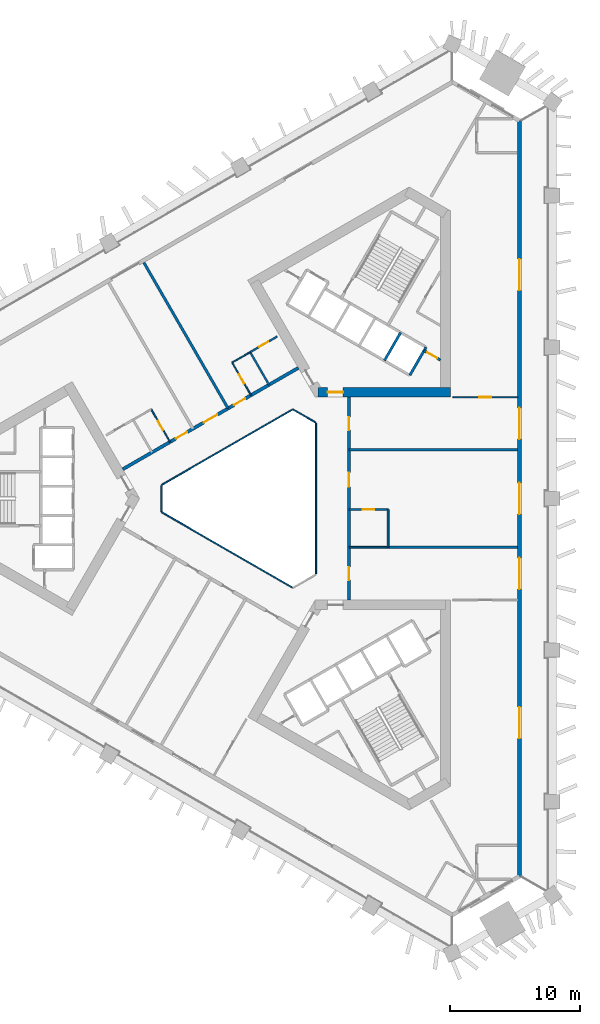
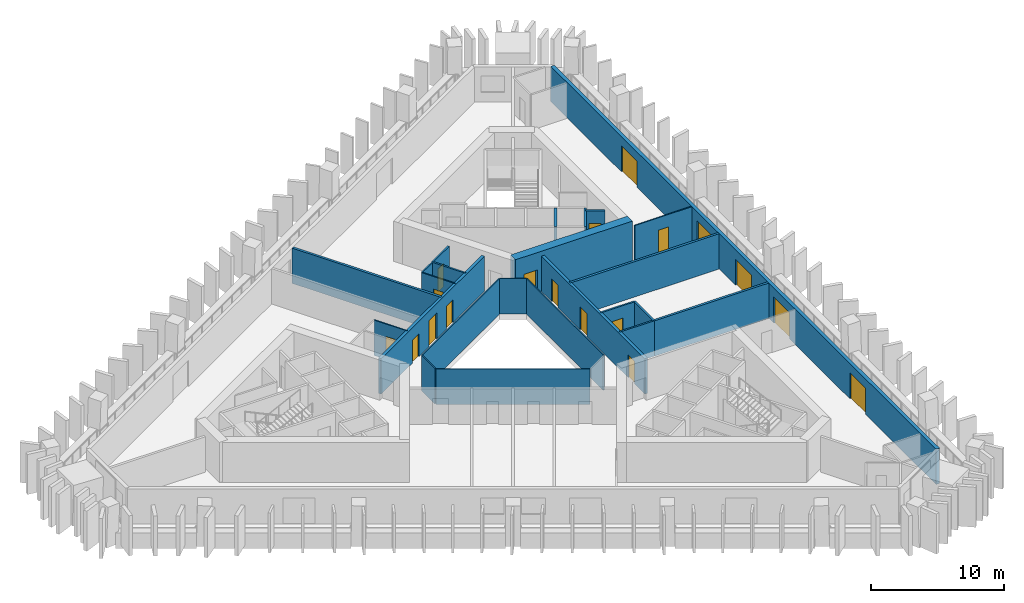
# One storey, part 5 of 9: 24 walls, 18 doors, 18 openings.
"""IFC4 building model written with IfcOpenShell, lengths in metres."""

from ifc_helpers import new_model, si_unit, direction, frame, frame_2d, origin, place, context, subcontext, project, spatial, rectangle, extrude, material, layer, layer_set, type_object, element, fill, save


model = new_model("IFC4")

# Units and contexts
model_context = context("Model", 3, precision=1e-05, world=origin(), true_north=direction((0.0, 1.0)))
body_context = subcontext(model_context, "Body", "Model", "MODEL_VIEW")
ifc_project = project(units=[si_unit("LENGTHUNIT", "METRE"), si_unit("AREAUNIT", "SQUARE_METRE"), si_unit("VOLUMEUNIT", "CUBIC_METRE"), si_unit("PLANEANGLEUNIT", "RADIAN"), si_unit("MASSUNIT", "GRAM", prefix="KILO")], contexts=[model_context])

# Site, building, storey
site_placement = place(None, origin())
site = spatial("IfcSite", under=ifc_project, at=site_placement, CompositionType="ELEMENT")
building_placement = place(site_placement, origin())
building = spatial("IfcBuilding", under=site, at=building_placement, Name="Jabali Bay Hotel Tower and Convention Centre", CompositionType="ELEMENT")
storey_placement = place(building_placement, frame((0.0, 0.0, 94.300048828125)))
storey = spatial("IfcBuildingStorey", under=building, at=storey_placement, Name="L22", CompositionType="ELEMENT", Elevation=94.300048828125)

# Walls
ifc_material_1 = material(Name="Fire-resistant glazing", Category="glass")
ifc_layer_1 = layer(ifc_material_1, 0.10009765625)
ifc_layer_set_1 = layer_set([ifc_layer_1], Name="Fire-resistant glazing")
wall_type_1 = type_object("IfcWallType", Name="Atrium glazed screen 100", PredefinedType="PARTITIONING", material=ifc_layer_set_1)
wall_1_placement = place(storey_placement, frame((79.56005859375, 74.205810546875, 0.0), z_axis=(0.0, 0.0, 1.0), x_axis=(0.0, 1.0, 0.0)))
element("IfcWall", 1, at=wall_1_placement, inside=storey, type_object=wall_type_1, Name="Atrium screen 1 L22", PredefinedType="PARTITIONING", context=body_context, shape_type="SweptSolid", body=[
    extrude(rectangle(XDim=11.58837890625, YDim=0.10009765625, at=frame_2d((5.794189453125, 0.0))), origin(), (0.0, 0.0, 1.0), 3.25),
])
wall_2_placement = place(storey_placement, frame((79.530029296875, 85.84619140625, 0.0), z_axis=(0.0, 0.0, 1.0), x_axis=(-0.866041268327, 0.499972520799, 0.0)))
element("IfcWall", 2, at=wall_2_placement, inside=storey, type_object=wall_type_1, Name="Atrium screen 2 L22", PredefinedType="PARTITIONING", context=body_context, shape_type="SweptSolid", body=[
    extrude(rectangle(XDim=2.0, YDim=0.10009765625, at=frame_2d((1.0, 0.0))), origin(), (0.0, 0.0, 1.0), 3.25),
])
wall_3_placement = place(storey_placement, frame((77.738037109375, 86.84619140625, 0.0), z_axis=(0.0, 0.0, 1.0), x_axis=(-0.866026658274, -0.499997827154, 0.0)))
element("IfcWall", 3, at=wall_3_placement, inside=storey, type_object=wall_type_1, Name="Atrium screen 3 L22", PredefinedType="PARTITIONING", context=body_context, shape_type="SweptSolid", body=[
    extrude(rectangle(XDim=11.58837890625, YDim=0.10009765625, at=frame_2d((5.794189453125, 0.0))), origin(), (0.0, 0.0, 1.0), 3.25),
])
wall_4_placement = place(storey_placement, frame((67.672119140625, 81.0, 0.0), z_axis=(0.0, 0.0, 1.0), x_axis=(0.0, -1.0, 0.0)))
element("IfcWall", 4, at=wall_4_placement, inside=storey, type_object=wall_type_1, Name="Atrium screen 4 L22", PredefinedType="PARTITIONING", context=body_context, shape_type="SweptSolid", body=[
    extrude(rectangle(XDim=2.0, YDim=0.10009765625, at=frame_2d((1.0, 0.0))), origin(), (0.0, 0.0, 1.0), 3.25),
])
wall_5_placement = place(storey_placement, frame((67.7021484375, 78.947998046875, 0.0), z_axis=(0.0, 0.0, 1.0), x_axis=(0.866026658274, -0.499997827154, 0.0)))
element("IfcWall", 5, at=wall_5_placement, inside=storey, type_object=wall_type_1, Name="Atrium screen 5 L22", PredefinedType="PARTITIONING", context=body_context, shape_type="SweptSolid", body=[
    extrude(rectangle(XDim=11.58837890625, YDim=0.10009765625, at=frame_2d((5.794189453125, 0.0))), origin(), (0.0, 0.0, 1.0), 3.25),
])

# Wall, opening, door
ifc_material_2 = material(Name="Concrete C40", Category="concrete")
ifc_layer_2 = layer(ifc_material_2, 0.199951171875)
ifc_layer_set_2 = layer_set([ifc_layer_2], Name="Concrete C40")
wall_type_2 = type_object("IfcWallType", Name="Core partition wall 200", PredefinedType="PARTITIONING", material=ifc_layer_set_2)
wall_6_placement = place(storey_placement, frame((89.130126953125, 90.640625, 0.0), z_axis=(0.0, 0.0, 1.0), x_axis=(-0.866094119867, 0.499880961361, 0.0)))
wall_6 = element("IfcWall", 6, at=wall_6_placement, inside=storey, type_object=wall_type_2, Name="Core wall 1.11 L22", PredefinedType="PARTITIONING", context=body_context, shape_type="SweptSolid", body=[
    extrude(rectangle(XDim=1.466552734375, YDim=0.199951171875, at=frame_2d((0.7333984375, 0.0))), origin(), (0.0, 0.0, 1.0), 3.25),
])
opening_1_placement = place(wall_6_placement, frame((0.283447265625, 0.0, 0.0)))
opening_1 = element("IfcOpeningElement", 7, at=opening_1_placement, cuts=wall_6, Name="Opening D519", PredefinedType="OPENING", context=body_context, shape_type="SweptSolid", body=[
    extrude(rectangle(XDim=0.89990234375, YDim=2.10009765625, at=frame_2d((0.449951171875, 1.050048828125))), frame((0.0, 0.1103515625, 0.0), z_axis=(0.0, -1.0, 0.0), x_axis=(1.0, 0.0, 0.0)), (0.0, 0.0, 1.0), 0.220947265625),
])
ifc_material_3 = material(Name="Fire-rated steel door", Category="steel")
door_type_1 = type_object("IfcDoorType", Name="Vestibule fire door 900 x 2100", OperationType="NOTDEFINED", PredefinedType="NOTDEFINED", material=ifc_material_3)
door_1_placement = place(opening_1_placement, origin())
door_1 = element("IfcDoor", 8, at=door_1_placement, inside=storey, type_object=door_type_1, Name="Vestibule fire door D519", OperationType="SINGLE_SWING_LEFT", OverallHeight=2.10009765625, OverallWidth=0.89990234375, PredefinedType="NOTDEFINED", context=body_context, shape_type="SweptSolid", body=[
    extrude(rectangle(XDim=0.89990234375, YDim=2.10009765625, at=frame_2d((0.449951171875, 1.050048828125))), frame((0.0, 0.02490234375, 0.0), z_axis=(0.0, -1.0, 0.0), x_axis=(1.0, 0.0, 0.0)), (0.0, 0.0, 1.0), 0.050048828125),
])
fill(opening_1, door_1)

# Walls
ifc_layer_3 = layer(ifc_material_2, 0.199951171875)
ifc_layer_set_3 = layer_set([ifc_layer_3], Name="Concrete C40")
wall_type_3 = type_object("IfcWallType", Name="Core stair wall 200", PredefinedType="SOLIDWALL", material=ifc_layer_set_3)
for number, where, z_axis, x_axis, name in (
    (9, (86.769775390625, 89.48583984375, 0.0), (0.0, 0.0, 1.0), (0.499961042966, 0.86604789447, 0.0), "Core wall 1.0 L22"),
    (10, (84.8212890625, 90.61083984375, 0.0), (0.0, 0.0, 1.0), (0.499961042966, 0.86604789447, 0.0), "Core wall 1.2 L22"),
):
    element("IfcWall", number, at=place(storey_placement, frame(where, z_axis=z_axis, x_axis=x_axis)), inside=storey, type_object=wall_type_3, Name=name, PredefinedType="SOLIDWALL", context=body_context, shape_type="SweptSolid", body=[
        extrude(rectangle(XDim=2.480224609375, YDim=0.199951171875, at=frame_2d((1.240234375, 0.0))), origin(), (0.0, 0.0, 1.0), 3.25),
    ])

# Wall, opening, door
ifc_material_4 = material(Name="Concrete C60", Category="concrete")
ifc_layer_4 = layer(ifc_material_4, 0.75)
ifc_layer_set_4 = layer_set([ifc_layer_4], Name="Concrete C60")
wall_type_4 = type_object("IfcWallType", Name="Core wall 750", PredefinedType="SHEAR", material=ifc_layer_set_4)
wall_7_placement = place(storey_placement, frame((79.716552734375, 88.169189453125, 0.0), z_axis=(0.0, 0.0, 1.0), x_axis=(1.0, 0.0, 0.0)))
wall_7 = element("IfcWall", 11, at=wall_7_placement, inside=storey, type_object=wall_type_4, Name="Core wall 2.1 L22", PredefinedType="SHEAR", context=body_context, shape_type="SweptSolid", body=[
    extrude(rectangle(XDim=10.163330078125, YDim=0.75, at=frame_2d((5.08154296875, 0.0))), origin(), (0.0, 0.0, 1.0), 3.699951171875),
])
opening_2_placement = place(wall_7_placement, frame((0.7333984375, 0.0, 0.0)))
opening_2 = element("IfcOpeningElement", 12, at=opening_2_placement, cuts=wall_7, Name="Opening D516", PredefinedType="OPENING", context=body_context, shape_type="SweptSolid", body=[
    extrude(rectangle(XDim=1.199951171875, YDim=2.10009765625, at=frame_2d((0.60009765625, 1.050048828125))), frame((0.0, 0.385498046875, 0.0), z_axis=(0.0, -1.0, 0.0), x_axis=(1.0, 0.0, 0.0)), (0.0, 0.0, 1.0), 0.77099609375),
])
door_type_2 = type_object("IfcDoorType", Name="Corridor end fire door 1200 x 2100", OperationType="NOTDEFINED", PredefinedType="NOTDEFINED", material=ifc_material_3)
door_2_placement = place(opening_2_placement, origin())
door_2 = element("IfcDoor", 13, at=door_2_placement, inside=storey, type_object=door_type_2, Name="Corridor end fire door D516", OperationType="SINGLE_SWING_RIGHT", OverallHeight=2.10009765625, OverallWidth=1.199951171875, PredefinedType="NOTDEFINED", context=body_context, shape_type="SweptSolid", body=[
    extrude(rectangle(XDim=1.199951171875, YDim=2.10009765625, at=frame_2d((0.60009765625, 1.050048828125))), frame((0.0, 0.02490234375, 0.0), z_axis=(0.0, -1.0, 0.0), x_axis=(1.0, 0.0, 0.0)), (0.0, 0.0, 1.0), 0.050048828125),
])
fill(opening_2, door_2)

# Wall, openings, doors
ifc_layer_5 = layer(ifc_material_4, 0.25)
ifc_layer_set_5 = layer_set([ifc_layer_5], Name="Concrete C60")
wall_type_5 = type_object("IfcWallType", Name="Corridor wall 250", PredefinedType="SHEAR", material=ifc_layer_set_5)
wall_8_placement = place(storey_placement, frame((82.10009765625, 72.205810546875, 0.0), z_axis=(0.0, 0.0, 1.0), x_axis=(0.0, 1.0, 0.0)))
wall_8 = element("IfcWall", 14, at=wall_8_placement, inside=storey, type_object=wall_type_5, Name="Corridor wall 1 L22", PredefinedType="SHEAR", context=body_context, shape_type="SweptSolid", body=[
    extrude(rectangle(XDim=15.58837890625, YDim=0.25, at=frame_2d((7.794189453125, 0.0))), origin(), (0.0, 0.0, 1.0), 3.25),
])
opening_3_placement = place(wall_8_placement, frame((1.526611328125, 0.0, 0.0)))
opening_3 = element("IfcOpeningElement", 15, at=opening_3_placement, cuts=wall_8, Name="Opening 2201", PredefinedType="OPENING", context=body_context, shape_type="SweptSolid", body=[
    extrude(rectangle(XDim=1.0, YDim=2.10009765625, at=frame_2d((0.5, 1.050048828125))), frame((0.0, 0.135498046875, 0.0), z_axis=(0.0, -1.0, 0.0), x_axis=(1.0, 0.0, 0.0)), (0.0, 0.0, 1.0), 0.27099609375),
])
opening_4_placement = place(wall_8_placement, frame((8.694091796875, 0.0, 0.0)))
opening_4 = element("IfcOpeningElement", 16, at=opening_4_placement, cuts=wall_8, Name="Opening 2205", PredefinedType="OPENING", context=body_context, shape_type="SweptSolid", body=[
    extrude(rectangle(XDim=1.10009765625, YDim=2.10009765625, at=frame_2d((0.550048828125, 1.050048828125))), frame((0.0, 0.135498046875, 0.0), z_axis=(0.0, -1.0, 0.0), x_axis=(1.0, 0.0, 0.0)), (0.0, 0.0, 1.0), 0.27099609375),
])
opening_5_placement = place(wall_8_placement, frame((13.06201171875, 0.0, 0.0)))
opening_5 = element("IfcOpeningElement", 17, at=opening_5_placement, cuts=wall_8, Name="Opening 2206", PredefinedType="OPENING", context=body_context, shape_type="SweptSolid", body=[
    extrude(rectangle(XDim=1.0, YDim=2.10009765625, at=frame_2d((0.5, 1.050048828125))), frame((0.0, 0.135498046875, 0.0), z_axis=(0.0, -1.0, 0.0), x_axis=(1.0, 0.0, 0.0)), (0.0, 0.0, 1.0), 0.27099609375),
])
ifc_material_5 = material(Name="Timber", Category="wood")
door_type_3 = type_object("IfcDoorType", Name="Accessible guest room door 1100 x 2100", OperationType="NOTDEFINED", PredefinedType="NOTDEFINED", material=ifc_material_5)
door_3_placement = place(opening_4_placement, origin())
door_3 = element("IfcDoor", 18, at=door_3_placement, inside=storey, type_object=door_type_3, Name="Door 2205", OperationType="SINGLE_SWING_RIGHT", OverallHeight=2.10009765625, OverallWidth=1.10009765625, PredefinedType="NOTDEFINED", context=body_context, shape_type="SweptSolid", body=[
    extrude(rectangle(XDim=1.10009765625, YDim=2.10009765625, at=frame_2d((0.550048828125, 1.050048828125))), frame((0.0, 0.02490234375, 0.0), z_axis=(0.0, -1.0, 0.0), x_axis=(1.0, 0.0, 0.0)), (0.0, 0.0, 1.0), 0.050048828125),
])
fill(opening_4, door_3)
door_type_4 = type_object("IfcDoorType", Name="Guest room door 1000 x 2100", OperationType="NOTDEFINED", PredefinedType="NOTDEFINED", material=ifc_material_5)
door_4_placement = place(opening_3_placement, origin())
door_4 = element("IfcDoor", 19, at=door_4_placement, inside=storey, type_object=door_type_4, Name="Door 2201", OperationType="SINGLE_SWING_LEFT", OverallHeight=2.10009765625, OverallWidth=1.0, PredefinedType="NOTDEFINED", context=body_context, shape_type="SweptSolid", body=[
    extrude(rectangle(XDim=1.0, YDim=2.10009765625, at=frame_2d((0.5, 1.050048828125))), frame((0.0, 0.02490234375, 0.0), z_axis=(0.0, -1.0, 0.0), x_axis=(1.0, 0.0, 0.0)), (0.0, 0.0, 1.0), 0.050048828125),
])
fill(opening_3, door_4)
door_5_placement = place(opening_5_placement, origin())
door_5 = element("IfcDoor", 20, at=door_5_placement, inside=storey, type_object=door_type_4, Name="Door 2206", OperationType="SINGLE_SWING_RIGHT", OverallHeight=2.10009765625, OverallWidth=1.0, PredefinedType="NOTDEFINED", context=body_context, shape_type="SweptSolid", body=[
    extrude(rectangle(XDim=1.0, YDim=2.10009765625, at=frame_2d((0.5, 1.050048828125))), frame((0.0, 0.02490234375, 0.0), z_axis=(0.0, -1.0, 0.0), x_axis=(1.0, 0.0, 0.0)), (0.0, 0.0, 1.0), 0.050048828125),
])
fill(opening_5, door_5)

wall_9_placement = place(storey_placement, frame((78.199951171875, 90.0458984375, 0.0), z_axis=(0.0, 0.0, 1.0), x_axis=(-0.866026492143, -0.499998114903, 0.0)))
wall_9 = element("IfcWall", 21, at=wall_9_placement, inside=storey, type_object=wall_type_5, Name="Corridor wall 2 L22", PredefinedType="SHEAR", context=body_context, shape_type="SweptSolid", body=[
    extrude(rectangle(XDim=15.58837890625, YDim=0.25, at=frame_2d((7.794189453125, 0.0))), origin(), (0.0, 0.0, 1.0), 3.25),
])
opening_6_placement = place(wall_9_placement, frame((4.7177734375, 0.0, 0.0)))
opening_6 = element("IfcOpeningElement", 22, at=opening_6_placement, cuts=wall_9, Name="Opening 2211", PredefinedType="OPENING", context=body_context, shape_type="SweptSolid", body=[
    extrude(rectangle(XDim=1.0, YDim=2.10009765625, at=frame_2d((0.5, 1.050048828125))), frame((0.0, 0.135498046875, 0.0), z_axis=(0.0, -1.0, 0.0), x_axis=(1.0, 0.0, 0.0)), (0.0, 0.0, 1.0), 0.27099609375),
])
opening_7_placement = place(wall_9_placement, frame((7.194091796875, 0.0, 0.0)))
opening_7 = element("IfcOpeningElement", 23, at=opening_7_placement, cuts=wall_9, Name="Opening 2212", PredefinedType="OPENING", context=body_context, shape_type="SweptSolid", body=[
    extrude(rectangle(XDim=1.199951171875, YDim=2.39990234375, at=frame_2d((0.60009765625, 1.199951171875))), frame((0.0, 0.135498046875, 0.0), z_axis=(0.0, -1.0, 0.0), x_axis=(1.0, 0.0, 0.0)), (0.0, 0.0, 1.0), 0.27099609375),
])
opening_8_placement = place(wall_9_placement, frame((9.870849609375, 0.0, 0.0)))
opening_8 = element("IfcOpeningElement", 24, at=opening_8_placement, cuts=wall_9, Name="Opening 2215", PredefinedType="OPENING", context=body_context, shape_type="SweptSolid", body=[
    extrude(rectangle(XDim=1.0, YDim=2.10009765625, at=frame_2d((0.5, 1.050048828125))), frame((0.0, 0.135498046875, 0.0), z_axis=(0.0, -1.0, 0.0), x_axis=(1.0, 0.0, 0.0)), (0.0, 0.0, 1.0), 0.27099609375),
])
door_6_placement = place(opening_6_placement, origin())
door_6 = element("IfcDoor", 25, at=door_6_placement, inside=storey, type_object=door_type_4, Name="Door 2211", OperationType="SINGLE_SWING_LEFT", OverallHeight=2.10009765625, OverallWidth=1.0, PredefinedType="NOTDEFINED", context=body_context, shape_type="SweptSolid", body=[
    extrude(rectangle(XDim=1.0, YDim=2.10009765625, at=frame_2d((0.5, 1.050048828125))), frame((0.0, 0.02490234375, 0.0), z_axis=(0.0, -1.0, 0.0), x_axis=(1.0, 0.0, 0.0)), (0.0, 0.0, 1.0), 0.050048828125),
])
fill(opening_6, door_6)
door_7_placement = place(opening_8_placement, origin())
door_7 = element("IfcDoor", 26, at=door_7_placement, inside=storey, type_object=door_type_4, Name="Door 2215", OperationType="SINGLE_SWING_RIGHT", OverallHeight=2.10009765625, OverallWidth=1.0, PredefinedType="NOTDEFINED", context=body_context, shape_type="SweptSolid", body=[
    extrude(rectangle(XDim=1.0, YDim=2.10009765625, at=frame_2d((0.5, 1.050048828125))), frame((0.0, 0.02490234375, 0.0), z_axis=(0.0, -1.0, 0.0), x_axis=(1.0, 0.0, 0.0)), (0.0, 0.0, 1.0), 0.050048828125),
])
fill(opening_8, door_7)
door_type_5 = type_object("IfcDoorType", Name="Public room door 1200 x 2400", OperationType="NOTDEFINED", PredefinedType="NOTDEFINED", material=ifc_material_5)
door_8_placement = place(opening_7_placement, origin())
door_8 = element("IfcDoor", 27, at=door_8_placement, inside=storey, type_object=door_type_5, Name="Door 2212", OperationType="SINGLE_SWING_RIGHT", OverallHeight=2.39990234375, OverallWidth=1.199951171875, PredefinedType="NOTDEFINED", context=body_context, shape_type="SweptSolid", body=[
    extrude(rectangle(XDim=1.199951171875, YDim=2.39990234375, at=frame_2d((0.60009765625, 1.199951171875))), frame((0.0, 0.02490234375, 0.0), z_axis=(0.0, -1.0, 0.0), x_axis=(1.0, 0.0, 0.0)), (0.0, 0.0, 1.0), 0.050048828125),
])
fill(opening_7, door_8)

ifc_layer_6 = layer(ifc_material_2, 0.300048828125)
ifc_layer_set_6 = layer_set([ifc_layer_6], Name="Concrete C40")
wall_type_6 = type_object("IfcWallType", Name="External wall 300", PredefinedType="SOLIDWALL", material=ifc_layer_set_6)
wall_10_placement = place(storey_placement, frame((95.201904296875, 109.04638671875, 0.0), z_axis=(0.0, 0.0, 1.0), x_axis=(0.0, -1.0, 0.0)))
wall_10 = element("IfcWall", 28, at=wall_10_placement, inside=storey, type_object=wall_type_6, Name="External wall east face L22", PredefinedType="SOLIDWALL", context=body_context, shape_type="SweptSolid", body=[
    extrude(rectangle(XDim=58.0927734375, YDim=0.300048828125, at=frame_2d((29.04638671875, 0.0))), origin(), (0.0, 0.0, 1.0), 3.25),
])
opening_9_placement = place(wall_10_placement, frame((27.84619140625, 0.0, 0.0)))
opening_9 = element("IfcOpeningElement", 29, at=opening_9_placement, cuts=wall_10, Name="Opening SD1", PredefinedType="OPENING", context=body_context, shape_type="SweptSolid", body=[
    extrude(rectangle(XDim=2.39990234375, YDim=2.39990234375, at=frame_2d((1.199951171875, 1.199951171875))), frame((0.0, 0.16064453125, 0.0), z_axis=(0.0, -1.0, 0.0), x_axis=(1.0, 0.0, 0.0)), (0.0, 0.0, 1.0), 0.321044921875),
])
opening_10_placement = place(wall_10_placement, frame((33.614013671875, 0.0, 0.0)))
opening_10 = element("IfcOpeningElement", 30, at=opening_10_placement, cuts=wall_10, Name="Opening SD1", PredefinedType="OPENING", context=body_context, shape_type="SweptSolid", body=[
    extrude(rectangle(XDim=2.39990234375, YDim=2.39990234375, at=frame_2d((1.199951171875, 1.199951171875))), frame((0.0, 0.16064453125, 0.0), z_axis=(0.0, -1.0, 0.0), x_axis=(1.0, 0.0, 0.0)), (0.0, 0.0, 1.0), 0.321044921875),
])
opening_11_placement = place(wall_10_placement, frame((45.08349609375, 0.0, 0.0)))
opening_11 = element("IfcOpeningElement", 31, at=opening_11_placement, cuts=wall_10, Name="Opening SD1", PredefinedType="OPENING", context=body_context, shape_type="SweptSolid", body=[
    extrude(rectangle(XDim=2.39990234375, YDim=2.39990234375, at=frame_2d((1.199951171875, 1.199951171875))), frame((0.0, 0.16064453125, 0.0), z_axis=(0.0, -1.0, 0.0), x_axis=(1.0, 0.0, 0.0)), (0.0, 0.0, 1.0), 0.321044921875),
])
opening_12_placement = place(wall_10_placement, frame((22.07861328125, 0.0, 0.0)))
opening_12 = element("IfcOpeningElement", 32, at=opening_12_placement, cuts=wall_10, Name="Opening SD1", PredefinedType="OPENING", context=body_context, shape_type="SweptSolid", body=[
    extrude(rectangle(XDim=2.39990234375, YDim=2.39990234375, at=frame_2d((1.199951171875, 1.199951171875))), frame((0.0, 0.16064453125, 0.0), z_axis=(0.0, -1.0, 0.0), x_axis=(1.0, 0.0, 0.0)), (0.0, 0.0, 1.0), 0.321044921875),
])
opening_13_placement = place(wall_10_placement, frame((10.64306640625, 0.0, 0.0)))
opening_13 = element("IfcOpeningElement", 33, at=opening_13_placement, cuts=wall_10, Name="Opening SD1", PredefinedType="OPENING", context=body_context, shape_type="SweptSolid", body=[
    extrude(rectangle(XDim=2.39990234375, YDim=2.39990234375, at=frame_2d((1.199951171875, 1.199951171875))), frame((0.0, 0.16064453125, 0.0), z_axis=(0.0, -1.0, 0.0), x_axis=(1.0, 0.0, 0.0)), (0.0, 0.0, 1.0), 0.321044921875),
])
ifc_material_6 = material(Name="Glass", Category="glass")
door_type_6 = type_object("IfcDoorType", Name="Loggia sliding door 2400 x 2400", OperationType="NOTDEFINED", PredefinedType="NOTDEFINED", material=ifc_material_6)
door_9_placement = place(opening_9_placement, origin())
door_9 = element("IfcDoor", 34, at=door_9_placement, inside=storey, type_object=door_type_6, Name="Loggia sliding door 2202", OperationType="SLIDING_TO_LEFT", OverallHeight=2.39990234375, OverallWidth=2.39990234375, PredefinedType="NOTDEFINED", context=body_context, shape_type="SweptSolid", body=[
    extrude(rectangle(XDim=2.39990234375, YDim=2.39990234375, at=frame_2d((1.199951171875, 1.199951171875))), frame((0.0, 0.02490234375, 0.0), z_axis=(0.0, -1.0, 0.0), x_axis=(1.0, 0.0, 0.0)), (0.0, 0.0, 1.0), 0.050048828125),
])
fill(opening_9, door_9)
door_10_placement = place(opening_10_placement, origin())
door_10 = element("IfcDoor", 35, at=door_10_placement, inside=storey, type_object=door_type_6, Name="Loggia sliding door 2201", OperationType="SLIDING_TO_RIGHT", OverallHeight=2.39990234375, OverallWidth=2.39990234375, PredefinedType="NOTDEFINED", context=body_context, shape_type="SweptSolid", body=[
    extrude(rectangle(XDim=2.39990234375, YDim=2.39990234375, at=frame_2d((1.199951171875, 1.199951171875))), frame((0.0, 0.02490234375, 0.0), z_axis=(0.0, -1.0, 0.0), x_axis=(1.0, 0.0, 0.0)), (0.0, 0.0, 1.0), 0.050048828125),
])
fill(opening_10, door_10)
door_11_placement = place(opening_11_placement, origin())
door_11 = element("IfcDoor", 36, at=door_11_placement, inside=storey, type_object=door_type_6, Name="Loggia sliding door 2201", OperationType="SLIDING_TO_LEFT", OverallHeight=2.39990234375, OverallWidth=2.39990234375, PredefinedType="NOTDEFINED", context=body_context, shape_type="SweptSolid", body=[
    extrude(rectangle(XDim=2.39990234375, YDim=2.39990234375, at=frame_2d((1.199951171875, 1.199951171875))), frame((0.0, 0.02490234375, 0.0), z_axis=(0.0, -1.0, 0.0), x_axis=(1.0, 0.0, 0.0)), (0.0, 0.0, 1.0), 0.050048828125),
])
fill(opening_11, door_11)
door_12_placement = place(opening_12_placement, origin())
door_12 = element("IfcDoor", 37, at=door_12_placement, inside=storey, type_object=door_type_6, Name="Loggia sliding door 2203", OperationType="SLIDING_TO_RIGHT", OverallHeight=2.39990234375, OverallWidth=2.39990234375, PredefinedType="NOTDEFINED", context=body_context, shape_type="SweptSolid", body=[
    extrude(rectangle(XDim=2.39990234375, YDim=2.39990234375, at=frame_2d((1.199951171875, 1.199951171875))), frame((0.0, 0.02490234375, 0.0), z_axis=(0.0, -1.0, 0.0), x_axis=(1.0, 0.0, 0.0)), (0.0, 0.0, 1.0), 0.050048828125),
])
fill(opening_12, door_12)
door_13_placement = place(opening_13_placement, origin())
door_13 = element("IfcDoor", 38, at=door_13_placement, inside=storey, type_object=door_type_6, Name="Loggia sliding door 2203", OperationType="SLIDING_TO_LEFT", OverallHeight=2.39990234375, OverallWidth=2.39990234375, PredefinedType="NOTDEFINED", context=body_context, shape_type="SweptSolid", body=[
    extrude(rectangle(XDim=2.39990234375, YDim=2.39990234375, at=frame_2d((1.199951171875, 1.199951171875))), frame((0.0, 0.02490234375, 0.0), z_axis=(0.0, -1.0, 0.0), x_axis=(1.0, 0.0, 0.0)), (0.0, 0.0, 1.0), 0.050048828125),
])
fill(opening_13, door_13)

# Wall, opening, door
ifc_material_7 = material(Name="Plasterboard on steel stud", Category="steel")
ifc_layer_7 = layer(ifc_material_7, 0.10009765625)
ifc_layer_set_7 = layer_set([ifc_layer_7], Name="Plasterboard on steel stud")
wall_type_7 = type_object("IfcWallType", Name="Partition 100 unit", PredefinedType="PARTITIONING", material=ifc_layer_set_7)
wall_11_placement = place(storey_placement, frame((95.052734375, 87.794189453125, 0.0), z_axis=(0.0, 0.0, 1.0), x_axis=(-1.0, 0.0, 0.0)))
wall_11 = element("IfcWall", 39, at=wall_11_placement, inside=storey, type_object=wall_type_7, Name="Partition P02 L22 011", PredefinedType="PARTITIONING", context=body_context, shape_type="SweptSolid", body=[
    extrude(rectangle(XDim=4.9736328125, YDim=0.10009765625, at=frame_2d((2.48681640625, 0.0))), origin(), (0.0, 0.0, 1.0), 3.25),
])
opening_14_placement = place(wall_11_placement, frame((2.037109375, 0.0, 0.0)))
opening_14 = element("IfcOpeningElement", 40, at=opening_14_placement, cuts=wall_11, Name="Opening 2207", PredefinedType="OPENING", context=body_context, shape_type="SweptSolid", body=[
    extrude(rectangle(XDim=0.89990234375, YDim=2.10009765625, at=frame_2d((0.449951171875, 1.050048828125))), frame((0.0, 0.060546875, 0.0), z_axis=(0.0, -1.0, 0.0), x_axis=(1.0, 0.0, 0.0)), (0.0, 0.0, 1.0), 0.12109375),
])
door_type_7 = type_object("IfcDoorType", Name="Internal door 900 x 2100", OperationType="NOTDEFINED", PredefinedType="NOTDEFINED", material=ifc_material_5)
door_14_placement = place(opening_14_placement, origin())
door_14 = element("IfcDoor", 41, at=door_14_placement, inside=storey, type_object=door_type_7, Name="Door 2207", OperationType="SINGLE_SWING_RIGHT", OverallHeight=2.10009765625, OverallWidth=0.89990234375, PredefinedType="NOTDEFINED", context=body_context, shape_type="SweptSolid", body=[
    extrude(rectangle(XDim=0.89990234375, YDim=2.10009765625, at=frame_2d((0.449951171875, 1.050048828125))), frame((0.0, 0.02490234375, 0.0), z_axis=(0.0, -1.0, 0.0), x_axis=(1.0, 0.0, 0.0)), (0.0, 0.0, 1.0), 0.050048828125),
])
fill(opening_14, door_14)

wall_12_placement = place(storey_placement, frame((74.562744140625, 87.94580078125, 0.0), z_axis=(0.0, 0.0, 1.0), x_axis=(-0.499987231761, 0.866032775405, 0.0)))
wall_12 = element("IfcWall", 42, at=wall_12_placement, inside=storey, type_object=wall_type_7, Name="Partition P02 L22 017", PredefinedType="PARTITIONING", context=body_context, shape_type="SweptSolid", body=[
    extrude(rectangle(XDim=2.89990234375, YDim=0.10009765625, at=frame_2d((1.449951171875, 0.0))), origin(), (0.0, 0.0, 1.0), 3.25),
])
opening_15_placement = place(wall_12_placement, frame((1.050048828125, 0.0, 0.0)))
opening_15 = element("IfcOpeningElement", 43, at=opening_15_placement, cuts=wall_12, Name="Opening 2210", PredefinedType="OPENING", context=body_context, shape_type="SweptSolid", body=[
    extrude(rectangle(XDim=0.800048828125, YDim=2.10009765625, at=frame_2d((0.39990234375, 1.050048828125))), frame((0.0, 0.060546875, 0.0), z_axis=(0.0, -1.0, 0.0), x_axis=(1.0, 0.0, 0.0)), (0.0, 0.0, 1.0), 0.12109375),
])
door_type_8 = type_object("IfcDoorType", Name="Dressing room door 800 x 2100", OperationType="NOTDEFINED", PredefinedType="NOTDEFINED", material=ifc_material_5)
door_15_placement = place(opening_15_placement, origin())
door_15 = element("IfcDoor", 44, at=door_15_placement, inside=storey, type_object=door_type_8, Name="Door 2210", OperationType="SINGLE_SWING_RIGHT", OverallHeight=2.10009765625, OverallWidth=0.800048828125, PredefinedType="NOTDEFINED", context=body_context, shape_type="SweptSolid", body=[
    extrude(rectangle(XDim=0.800048828125, YDim=2.10009765625, at=frame_2d((0.39990234375, 1.050048828125))), frame((0.0, 0.02490234375, 0.0), z_axis=(0.0, -1.0, 0.0), x_axis=(1.0, 0.0, 0.0)), (0.0, 0.0, 1.0), 0.050048828125),
])
fill(opening_15, door_15)

# Wall
wall_13_placement = place(storey_placement, frame((73.11279296875, 90.457275390625, 0.0), z_axis=(0.0, 0.0, 1.0), x_axis=(0.865989903783, 0.500061482766, 0.0)))
element("IfcWall", 45, at=wall_13_placement, inside=storey, type_object=wall_type_7, Name="Partition P02 L22 018", PredefinedType="PARTITIONING", context=body_context, shape_type="SweptSolid", body=[
    extrude(rectangle(XDim=1.599853515625, YDim=0.10009765625, at=frame_2d((0.7998046875, 0.0))), origin(), (0.0, 0.0, 1.0), 3.25),
])

# Wall, opening, door
wall_14_placement = place(storey_placement, frame((66.88720703125, 86.863037109375, 0.0), z_axis=(0.0, 0.0, 1.0), x_axis=(0.50005036918, -0.865996321171, 0.0)))
wall_14 = element("IfcWall", 46, at=wall_14_placement, inside=storey, type_object=wall_type_7, Name="Partition P02 L22 024", PredefinedType="PARTITIONING", context=body_context, shape_type="SweptSolid", body=[
    extrude(rectangle(XDim=2.900146484375, YDim=0.10009765625, at=frame_2d((1.4501953125, 0.0))), origin(), (0.0, 0.0, 1.0), 3.25),
])
opening_16_placement = place(wall_14_placement, frame((1.050048828125, 0.0, 0.0)))
opening_16 = element("IfcOpeningElement", 47, at=opening_16_placement, cuts=wall_14, Name="Opening 2214", PredefinedType="OPENING", context=body_context, shape_type="SweptSolid", body=[
    extrude(rectangle(XDim=0.800048828125, YDim=2.10009765625, at=frame_2d((0.39990234375, 1.050048828125))), frame((0.0, 0.060546875, 0.0), z_axis=(0.0, -1.0, 0.0), x_axis=(1.0, 0.0, 0.0)), (0.0, 0.0, 1.0), 0.12109375),
])
door_16_placement = place(opening_16_placement, origin())
door_16 = element("IfcDoor", 48, at=door_16_placement, inside=storey, type_object=door_type_8, Name="Door 2214", OperationType="SINGLE_SWING_RIGHT", OverallHeight=2.10009765625, OverallWidth=0.800048828125, PredefinedType="NOTDEFINED", context=body_context, shape_type="SweptSolid", body=[
    extrude(rectangle(XDim=0.800048828125, YDim=2.10009765625, at=frame_2d((0.39990234375, 1.050048828125))), frame((0.0, 0.02490234375, 0.0), z_axis=(0.0, -1.0, 0.0), x_axis=(1.0, 0.0, 0.0)), (0.0, 0.0, 1.0), 0.050048828125),
])
fill(opening_16, door_16)

# Wall
ifc_layer_8 = layer(ifc_material_7, 0.14990234375)
ifc_layer_set_8 = layer_set([ifc_layer_8], Name="Plasterboard on steel stud")
wall_type_8 = type_object("IfcWallType", Name="Partition 150 wet", PredefinedType="PARTITIONING", material=ifc_layer_set_8)
wall_15_placement = place(storey_placement, frame((85.10009765625, 76.2587890625, 0.0), z_axis=(0.0, 0.0, 1.0), x_axis=(-1.0, 0.0, 0.0)))
element("IfcWall", 49, at=wall_15_placement, inside=storey, type_object=wall_type_8, Name="Partition P03 L22 003", PredefinedType="PARTITIONING", context=body_context, shape_type="SweptSolid", body=[
    extrude(rectangle(XDim=3.0, YDim=0.14990234375, at=frame_2d((1.5, 0.0))), origin(), (0.0, 0.0, 1.0), 3.25),
])

# Wall, opening, door
wall_16_placement = place(storey_placement, frame((82.10009765625, 79.15869140625, 0.0), z_axis=(0.0, 0.0, 1.0), x_axis=(1.0, 0.0, 0.0)))
wall_16 = element("IfcWall", 50, at=wall_16_placement, inside=storey, type_object=wall_type_8, Name="Partition P03 L22 008", PredefinedType="PARTITIONING", context=body_context, shape_type="SweptSolid", body=[
    extrude(rectangle(XDim=3.0, YDim=0.14990234375, at=frame_2d((1.5, 0.0))), origin(), (0.0, 0.0, 1.0), 3.25),
])
opening_17_placement = place(wall_16_placement, frame((1.050048828125, 0.0, 0.0)))
opening_17 = element("IfcOpeningElement", 51, at=opening_17_placement, cuts=wall_16, Name="Opening 2204", PredefinedType="OPENING", context=body_context, shape_type="SweptSolid", body=[
    extrude(rectangle(XDim=0.89990234375, YDim=2.10009765625, at=frame_2d((0.449951171875, 1.050048828125))), frame((0.0, 0.08544921875, 0.0), z_axis=(0.0, -1.0, 0.0), x_axis=(1.0, 0.0, 0.0)), (0.0, 0.0, 1.0), 0.1708984375),
])
door_type_9 = type_object("IfcDoorType", Name="Accessible en-suite door 900 x 2100", OperationType="NOTDEFINED", PredefinedType="NOTDEFINED", material=ifc_material_5)
door_17_placement = place(opening_17_placement, origin())
door_17 = element("IfcDoor", 52, at=door_17_placement, inside=storey, type_object=door_type_9, Name="Door 2204", OperationType="SINGLE_SWING_LEFT", OverallHeight=2.10009765625, OverallWidth=0.89990234375, PredefinedType="NOTDEFINED", context=body_context, shape_type="SweptSolid", body=[
    extrude(rectangle(XDim=0.89990234375, YDim=2.10009765625, at=frame_2d((0.449951171875, 1.050048828125))), frame((0.0, 0.02490234375, 0.0), z_axis=(0.0, -1.0, 0.0), x_axis=(1.0, 0.0, 0.0)), (0.0, 0.0, 1.0), 0.050048828125),
])
fill(opening_17, door_17)

# Wall
wall_17_placement = place(storey_placement, frame((85.10009765625, 79.15869140625, 0.0), z_axis=(0.0, 0.0, 1.0), x_axis=(0.0, -1.0, 0.0)))
element("IfcWall", 53, at=wall_17_placement, inside=storey, type_object=wall_type_8, Name="Partition P03 L22 009", PredefinedType="PARTITIONING", context=body_context, shape_type="SweptSolid", body=[
    extrude(rectangle(XDim=2.89990234375, YDim=0.14990234375, at=frame_2d((1.449951171875, 0.0))), origin(), (0.0, 0.0, 1.0), 3.25),
])

# Wall, opening, door
wall_18_placement = place(storey_placement, frame((74.498291015625, 91.25732421875, 0.0), z_axis=(0.0, 0.0, 1.0), x_axis=(0.866038271014, 0.499977712642, 0.0)))
wall_18 = element("IfcWall", 54, at=wall_18_placement, inside=storey, type_object=wall_type_8, Name="Partition P03 L22 016", PredefinedType="PARTITIONING", context=body_context, shape_type="SweptSolid", body=[
    extrude(rectangle(XDim=2.40087890625, YDim=0.14990234375, at=frame_2d((1.200439453125, 0.0))), origin(), (0.0, 0.0, 1.0), 3.25),
])
opening_18_placement = place(wall_18_placement, frame((0.801025390625, 0.0, 0.0)))
opening_18 = element("IfcOpeningElement", 55, at=opening_18_placement, cuts=wall_18, Name="Opening 2209", PredefinedType="OPENING", context=body_context, shape_type="SweptSolid", body=[
    extrude(rectangle(XDim=0.800048828125, YDim=2.10009765625, at=frame_2d((0.39990234375, 1.050048828125))), frame((0.0, 0.08544921875, 0.0), z_axis=(0.0, -1.0, 0.0), x_axis=(1.0, 0.0, 0.0)), (0.0, 0.0, 1.0), 0.1708984375),
])
door_type_10 = type_object("IfcDoorType", Name="En-suite door 800 x 2100", OperationType="NOTDEFINED", PredefinedType="NOTDEFINED", material=ifc_material_5)
door_18_placement = place(opening_18_placement, origin())
door_18 = element("IfcDoor", 56, at=door_18_placement, inside=storey, type_object=door_type_10, Name="Door 2209", OperationType="SINGLE_SWING_LEFT", OverallHeight=2.10009765625, OverallWidth=0.800048828125, PredefinedType="NOTDEFINED", context=body_context, shape_type="SweptSolid", body=[
    extrude(rectangle(XDim=0.800048828125, YDim=2.10009765625, at=frame_2d((0.39990234375, 1.050048828125))), frame((0.0, 0.02490234375, 0.0), z_axis=(0.0, -1.0, 0.0), x_axis=(1.0, 0.0, 0.0)), (0.0, 0.0, 1.0), 0.050048828125),
])
fill(opening_18, door_18)

# Walls
wall_19_placement = place(storey_placement, frame((74.498291015625, 91.25732421875, 0.0), z_axis=(0.0, 0.0, 1.0), x_axis=(0.499987231761, -0.866032775405, 0.0)))
element("IfcWall", 57, at=wall_19_placement, inside=storey, type_object=wall_type_8, Name="Partition P03 L22 020", PredefinedType="PARTITIONING", context=body_context, shape_type="SweptSolid", body=[
    extrude(rectangle(XDim=2.89990234375, YDim=0.14990234375, at=frame_2d((1.449951171875, 0.0))), origin(), (0.0, 0.0, 1.0), 3.25),
])
ifc_layer_9 = layer(ifc_material_7, 0.199951171875)
ifc_layer_set_9 = layer_set([ifc_layer_9], Name="Plasterboard on steel stud")
wall_type_9 = type_object("IfcWallType", Name="Partition 200 party", PredefinedType="PARTITIONING", material=ifc_layer_set_9)
wall_20_placement = place(storey_placement, frame((95.052734375, 76.2587890625, 0.0), z_axis=(0.0, 0.0, 1.0), x_axis=(-1.0, 0.0, 0.0)))
element("IfcWall", 58, at=wall_20_placement, inside=storey, type_object=wall_type_9, Name="Partition P01 L22 002", PredefinedType="PARTITIONING", context=body_context, shape_type="SweptSolid", body=[
    extrude(rectangle(XDim=9.95263671875, YDim=0.199951171875, at=frame_2d((4.976318359375, 0.0))), origin(), (0.0, 0.0, 1.0), 3.25),
])
wall_21_placement = place(storey_placement, frame((95.052734375, 83.7412109375, 0.0), z_axis=(0.0, 0.0, 1.0), x_axis=(-1.0, 0.0, 0.0)))
element("IfcWall", 59, at=wall_21_placement, inside=storey, type_object=wall_type_9, Name="Partition P01 L22 010", PredefinedType="PARTITIONING", context=body_context, shape_type="SweptSolid", body=[
    extrude(rectangle(XDim=12.95263671875, YDim=0.199951171875, at=frame_2d((6.476318359375, 0.0))), origin(), (0.0, 0.0, 1.0), 3.25),
])
wall_22_placement = place(storey_placement, frame((66.323486328125, 98.145751953125, 0.0), z_axis=(0.0, 0.0, 1.0), x_axis=(0.500006886881, -0.866021427605, 0.0)))
element("IfcWall", 60, at=wall_22_placement, inside=storey, type_object=wall_type_9, Name="Partition P01 L22 019", PredefinedType="PARTITIONING", context=body_context, shape_type="SweptSolid", body=[
    extrude(rectangle(XDim=12.952880859375, YDim=0.199951171875, at=frame_2d((6.4765625, 0.0))), origin(), (0.0, 0.0, 1.0), 3.25),
])

save(model, "model.ifc")
